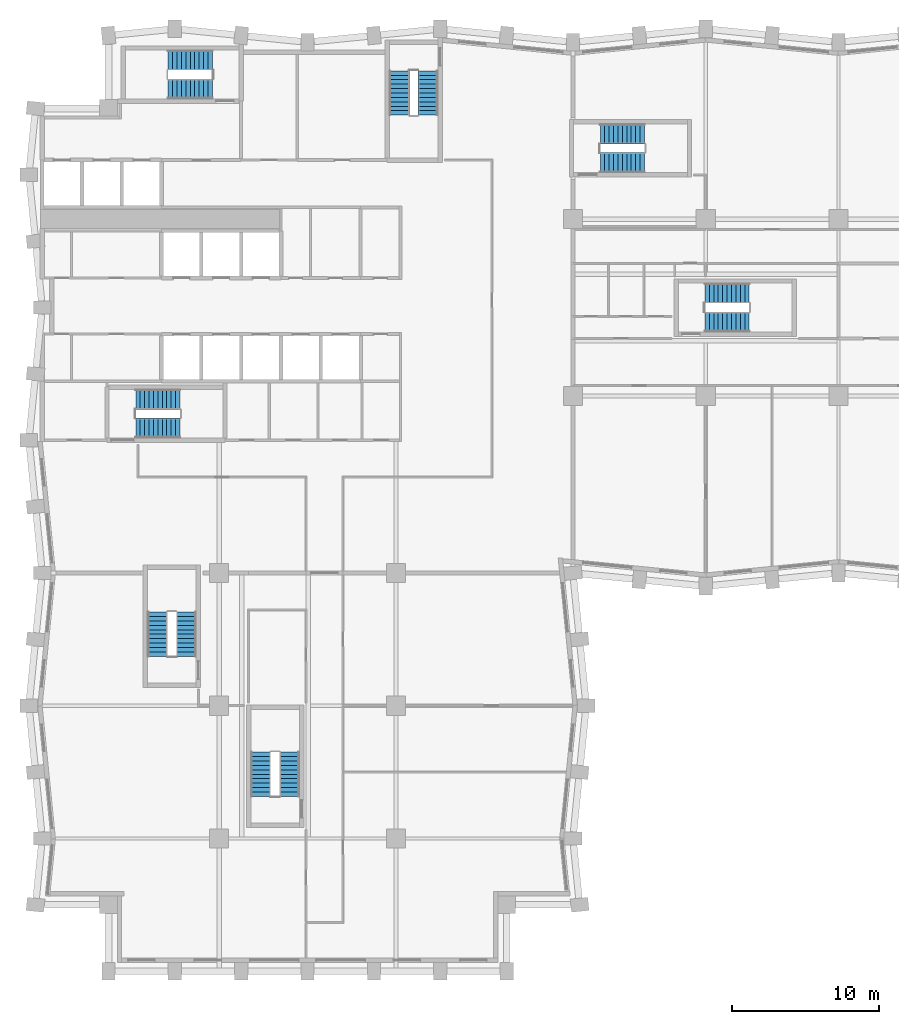
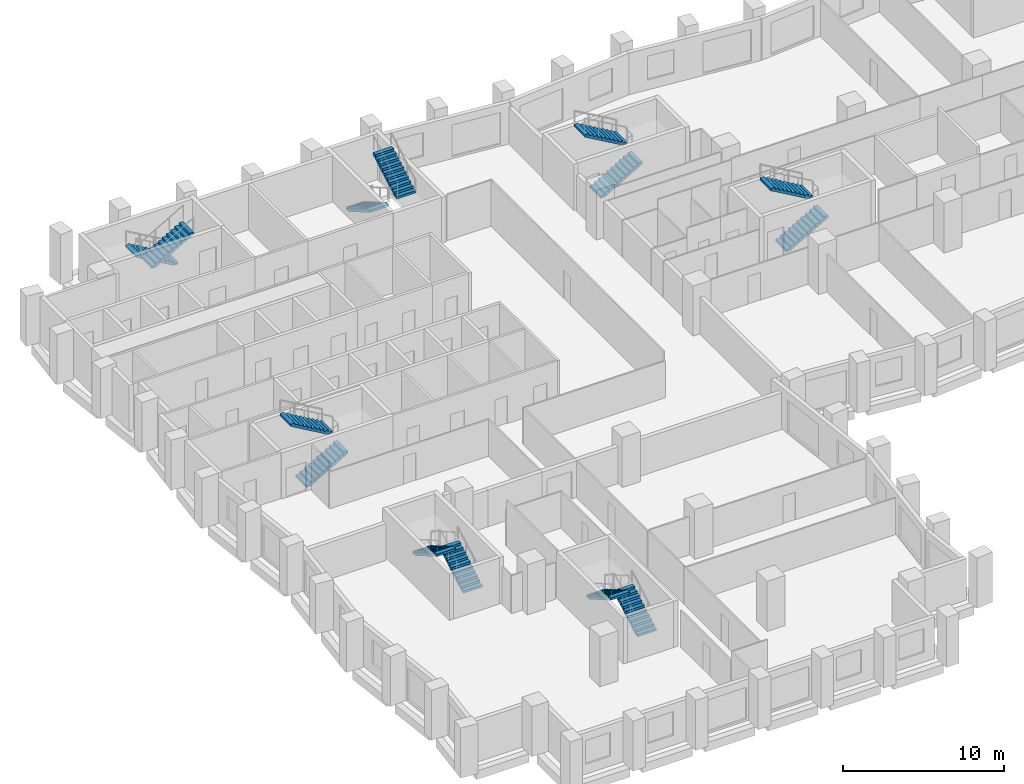
# One storey, part 9 of 11: 14 stair flights, 7 elements without a shape of their own.
"""IFC4 building model written with IfcOpenShell, lengths in metres."""

from ifc_helpers import new_model, si_unit, direction, frame, origin, place, context, subcontext, project, spatial, polyline, outline, extrude, material, type_object, element, aggregate, save


model = new_model("IFC4")

# Units and contexts
model_context = context("Model", 3, precision=1e-05, world=origin(), true_north=direction((0.0, 1.0)))
body_context = subcontext(model_context, "Body", "Model", "MODEL_VIEW")
ifc_project = project(units=[si_unit("LENGTHUNIT", "METRE"), si_unit("AREAUNIT", "SQUARE_METRE"), si_unit("VOLUMEUNIT", "CUBIC_METRE"), si_unit("PLANEANGLEUNIT", "RADIAN"), si_unit("MASSUNIT", "GRAM", prefix="KILO")], contexts=[model_context])

# Site, building, storey
site_placement = place(None, origin())
site = spatial("IfcSite", under=ifc_project, at=site_placement, CompositionType="ELEMENT")
building_placement = place(site_placement, origin())
building = spatial("IfcBuilding", under=site, at=building_placement, Name="Brondeck Convention Tower", CompositionType="ELEMENT")
storey_placement = place(building_placement, frame((0.0, 0.0, 92.300048828125)))
storey = spatial("IfcBuildingStorey", under=building, at=storey_placement, Name="L21", CompositionType="ELEMENT", Elevation=92.300048828125)

# Stair, stair flights
ifc_material = material(Name="Precast concrete C50/60", Category="concrete")
stair_type = type_object("IfcStairType", Name="Core stair 22 risers 172.73 mm riser 300 mm going 1350 wide", PredefinedType="HALF_TURN_STAIR", material=ifc_material)
stair_1_placement = place(storey_placement, origin())
stair_1 = element("IfcStair", 1, at=stair_1_placement, inside=storey, type_object=stair_type, Name="ST-1 L21 stair", PredefinedType="HALF_TURN_STAIR")
stair_flight_type = type_object("IfcStairFlightType", Name="Core stair flight 22 risers 172.73 mm riser 300 mm going 1350 wide", PredefinedType="STRAIGHT", material=ifc_material)
stair_flight_1_placement = place(storey_placement, frame((6.35009765625, 36.824951171875, 0.0), z_axis=(0.0, 0.0, 1.0), x_axis=(1.0, 0.0, 0.0)))
stair_flight_1 = element("IfcStairFlight", 2, at=stair_flight_1_placement, type_object=stair_flight_type, Name="ST-1 flight 1", NumberOfRisers=11, NumberOfTreads=10, PredefinedType="STRAIGHT", RiserHeight=0.172727273, TreadLength=0.3, context=body_context, shape_type="SweptSolid", body=[
    extrude(outline(polyline([(0.0, 0.0), (0.0, 0.172607421875), (0.300048828125, 0.172607421875), (0.300048828125, 0.345458984375), (0.60009765625, 0.345458984375), (0.60009765625, 0.51806640625), (0.89990234375, 0.51806640625), (0.89990234375, 0.69091796875), (1.199951171875, 0.69091796875), (1.199951171875, 0.863525390625), (1.5, 0.863525390625), (1.5, 1.036376953125), (1.800048828125, 1.036376953125), (1.800048828125, 1.208984375), (2.10009765625, 1.208984375), (2.10009765625, 1.3818359375), (2.39990234375, 1.3818359375), (2.39990234375, 1.554443359375), (2.699951171875, 1.554443359375), (2.699951171875, 1.727294921875), (3.0, 1.727294921875), (3.0, 1.89990234375), (3.0, 1.55419921875), (0.300537109375, 0.0), (0.0, 0.0)])), frame((0.0, 0.675048828125, 0.0), z_axis=(0.0, -1.0, 0.0), x_axis=(1.0, 0.0, 0.0)), (0.0, 0.0, 1.0), 1.35009765625),
])
stair_flight_2_placement = place(storey_placement, frame((9.35009765625, 38.77490234375, 1.89990234375), z_axis=(0.0, 0.0, 1.0), x_axis=(-1.0, 0.0, 0.0)))
stair_flight_2 = element("IfcStairFlight", 3, at=stair_flight_2_placement, type_object=stair_flight_type, Name="ST-1 flight 2", NumberOfRisers=11, NumberOfTreads=10, PredefinedType="STRAIGHT", RiserHeight=0.172727273, TreadLength=0.3, context=body_context, shape_type="SweptSolid", body=[
    extrude(outline(polyline([(0.0, 0.0), (0.0, 0.172607421875), (0.300048828125, 0.172607421875), (0.300048828125, 0.345458984375), (0.60009765625, 0.345458984375), (0.60009765625, 0.51806640625), (0.89990234375, 0.51806640625), (0.89990234375, 0.69091796875), (1.199951171875, 0.69091796875), (1.199951171875, 0.863525390625), (1.5, 0.863525390625), (1.5, 1.036376953125), (1.800048828125, 1.036376953125), (1.800048828125, 1.208984375), (2.10009765625, 1.208984375), (2.10009765625, 1.3818359375), (2.39990234375, 1.3818359375), (2.39990234375, 1.554443359375), (2.699951171875, 1.554443359375), (2.699951171875, 1.727294921875), (3.0, 1.727294921875), (3.0, 1.89990234375), (3.0, 1.55419921875), (0.300537109375, 0.0), (0.0, 0.0)])), frame((0.0, 0.675048828125, 0.0), z_axis=(0.0, -1.0, 0.0), x_axis=(1.0, 0.0, 0.0)), (0.0, 0.0, 1.0), 1.35009765625),
])
aggregate(stair_1, [stair_flight_1, stair_flight_2])

stair_2_placement = place(storey_placement, origin())
stair_2 = element("IfcStair", 4, at=stair_2_placement, inside=storey, type_object=stair_type, Name="ST-2 L21 stair", PredefinedType="HALF_TURN_STAIR")
stair_flight_3_placement = place(storey_placement, frame((24.22509765625, 61.050048828125, 0.0), z_axis=(0.0, 0.0, 1.0), x_axis=(0.0, -1.0, 0.0)))
stair_flight_3 = element("IfcStairFlight", 5, at=stair_flight_3_placement, type_object=stair_flight_type, Name="ST-2 flight 1", NumberOfRisers=11, NumberOfTreads=10, PredefinedType="STRAIGHT", RiserHeight=0.172727273, TreadLength=0.3, context=body_context, shape_type="SweptSolid", body=[
    extrude(outline(polyline([(0.0, 0.0), (0.0, 0.172607421875), (0.300048828125, 0.172607421875), (0.300048828125, 0.345458984375), (0.60009765625, 0.345458984375), (0.60009765625, 0.51806640625), (0.89990234375, 0.51806640625), (0.89990234375, 0.69091796875), (1.199951171875, 0.69091796875), (1.199951171875, 0.863525390625), (1.5, 0.863525390625), (1.5, 1.036376953125), (1.800048828125, 1.036376953125), (1.800048828125, 1.208984375), (2.10009765625, 1.208984375), (2.10009765625, 1.3818359375), (2.39990234375, 1.3818359375), (2.39990234375, 1.554443359375), (2.699951171875, 1.554443359375), (2.699951171875, 1.727294921875), (3.0, 1.727294921875), (3.0, 1.89990234375), (3.0, 1.55419921875), (0.300537109375, 0.0), (0.0, 0.0)])), frame((0.0, 0.675048828125, 0.0), z_axis=(0.0, -1.0, 0.0), x_axis=(1.0, 0.0, 0.0)), (0.0, 0.0, 1.0), 1.35009765625),
])
stair_flight_4_placement = place(storey_placement, frame((26.175048828125, 58.050048828125, 1.89990234375), z_axis=(0.0, 0.0, 1.0), x_axis=(0.0, 1.0, 0.0)))
stair_flight_4 = element("IfcStairFlight", 6, at=stair_flight_4_placement, type_object=stair_flight_type, Name="ST-2 flight 2", NumberOfRisers=11, NumberOfTreads=10, PredefinedType="STRAIGHT", RiserHeight=0.172727273, TreadLength=0.3, context=body_context, shape_type="SweptSolid", body=[
    extrude(outline(polyline([(0.0, 0.0), (0.0, 0.172607421875), (0.300048828125, 0.172607421875), (0.300048828125, 0.345458984375), (0.60009765625, 0.345458984375), (0.60009765625, 0.51806640625), (0.89990234375, 0.51806640625), (0.89990234375, 0.69091796875), (1.199951171875, 0.69091796875), (1.199951171875, 0.863525390625), (1.5, 0.863525390625), (1.5, 1.036376953125), (1.800048828125, 1.036376953125), (1.800048828125, 1.208984375), (2.10009765625, 1.208984375), (2.10009765625, 1.3818359375), (2.39990234375, 1.3818359375), (2.39990234375, 1.554443359375), (2.699951171875, 1.554443359375), (2.699951171875, 1.727294921875), (3.0, 1.727294921875), (3.0, 1.89990234375), (3.0, 1.55419921875), (0.300537109375, 0.0), (0.0, 0.0)])), frame((0.0, 0.675048828125, 0.0), z_axis=(0.0, -1.0, 0.0), x_axis=(1.0, 0.0, 0.0)), (0.0, 0.0, 1.0), 1.35009765625),
])
aggregate(stair_2, [stair_flight_3, stair_flight_4])

stair_3_placement = place(storey_placement, origin())
stair_3 = element("IfcStair", 7, at=stair_3_placement, inside=storey, type_object=stair_type, Name="ST-3 L21 stair", PredefinedType="HALF_TURN_STAIR")
stair_flight_5_placement = place(storey_placement, frame((11.550048828125, 61.77490234375, 0.0), z_axis=(0.0, 0.0, 1.0), x_axis=(-1.0, 0.0, 0.0)))
stair_flight_5 = element("IfcStairFlight", 8, at=stair_flight_5_placement, type_object=stair_flight_type, Name="ST-3 flight 1", NumberOfRisers=11, NumberOfTreads=10, PredefinedType="STRAIGHT", RiserHeight=0.172727273, TreadLength=0.3, context=body_context, shape_type="SweptSolid", body=[
    extrude(outline(polyline([(0.0, 0.0), (0.0, 0.172607421875), (0.300048828125, 0.172607421875), (0.300048828125, 0.345458984375), (0.60009765625, 0.345458984375), (0.60009765625, 0.51806640625), (0.89990234375, 0.51806640625), (0.89990234375, 0.69091796875), (1.199951171875, 0.69091796875), (1.199951171875, 0.863525390625), (1.5, 0.863525390625), (1.5, 1.036376953125), (1.800048828125, 1.036376953125), (1.800048828125, 1.208984375), (2.10009765625, 1.208984375), (2.10009765625, 1.3818359375), (2.39990234375, 1.3818359375), (2.39990234375, 1.554443359375), (2.699951171875, 1.554443359375), (2.699951171875, 1.727294921875), (3.0, 1.727294921875), (3.0, 1.89990234375), (3.0, 1.55419921875), (0.300537109375, 0.0), (0.0, 0.0)])), frame((0.0, 0.675048828125, 0.0), z_axis=(0.0, -1.0, 0.0), x_axis=(1.0, 0.0, 0.0)), (0.0, 0.0, 1.0), 1.35009765625),
])
stair_flight_6_placement = place(storey_placement, frame((8.550048828125, 59.824951171875, 1.89990234375), z_axis=(0.0, 0.0, 1.0), x_axis=(1.0, 0.0, 0.0)))
stair_flight_6 = element("IfcStairFlight", 9, at=stair_flight_6_placement, type_object=stair_flight_type, Name="ST-3 flight 2", NumberOfRisers=11, NumberOfTreads=10, PredefinedType="STRAIGHT", RiserHeight=0.172727273, TreadLength=0.3, context=body_context, shape_type="SweptSolid", body=[
    extrude(outline(polyline([(0.0, 0.0), (0.0, 0.172607421875), (0.300048828125, 0.172607421875), (0.300048828125, 0.345458984375), (0.60009765625, 0.345458984375), (0.60009765625, 0.51806640625), (0.89990234375, 0.51806640625), (0.89990234375, 0.69091796875), (1.199951171875, 0.69091796875), (1.199951171875, 0.863525390625), (1.5, 0.863525390625), (1.5, 1.036376953125), (1.800048828125, 1.036376953125), (1.800048828125, 1.208984375), (2.10009765625, 1.208984375), (2.10009765625, 1.3818359375), (2.39990234375, 1.3818359375), (2.39990234375, 1.554443359375), (2.699951171875, 1.554443359375), (2.699951171875, 1.727294921875), (3.0, 1.727294921875), (3.0, 1.89990234375), (3.0, 1.55419921875), (0.300537109375, 0.0), (0.0, 0.0)])), frame((0.0, 0.675048828125, 0.0), z_axis=(0.0, -1.0, 0.0), x_axis=(1.0, 0.0, 0.0)), (0.0, 0.0, 1.0), 1.35009765625),
])
aggregate(stair_3, [stair_flight_5, stair_flight_6])

stair_4_placement = place(storey_placement, origin())
stair_4 = element("IfcStair", 10, at=stair_4_placement, inside=storey, type_object=stair_type, Name="ST-AE L21 stair", PredefinedType="HALF_TURN_STAIR")
stair_flight_7_placement = place(storey_placement, frame((37.85009765625, 54.824951171875, 0.0), z_axis=(0.0, 0.0, 1.0), x_axis=(1.0, 0.0, 0.0)))
stair_flight_7 = element("IfcStairFlight", 11, at=stair_flight_7_placement, type_object=stair_flight_type, Name="ST-AE flight 1", NumberOfRisers=11, NumberOfTreads=10, PredefinedType="STRAIGHT", RiserHeight=0.172727273, TreadLength=0.3, context=body_context, shape_type="SweptSolid", body=[
    extrude(outline(polyline([(0.0, 0.0), (0.0, 0.172607421875), (0.300048828125, 0.172607421875), (0.300048828125, 0.345458984375), (0.60009765625, 0.345458984375), (0.60009765625, 0.51806640625), (0.89990234375, 0.51806640625), (0.89990234375, 0.69091796875), (1.199951171875, 0.69091796875), (1.199951171875, 0.863525390625), (1.5, 0.863525390625), (1.5, 1.036376953125), (1.800048828125, 1.036376953125), (1.800048828125, 1.208984375), (2.10009765625, 1.208984375), (2.10009765625, 1.3818359375), (2.39990234375, 1.3818359375), (2.39990234375, 1.554443359375), (2.699951171875, 1.554443359375), (2.699951171875, 1.727294921875), (3.0, 1.727294921875), (3.0, 1.89990234375), (3.0, 1.55419921875), (0.300537109375, 0.0), (0.0, 0.0)])), frame((0.0, 0.675048828125, 0.0), z_axis=(0.0, -1.0, 0.0), x_axis=(1.0, 0.0, 0.0)), (0.0, 0.0, 1.0), 1.35009765625),
])
stair_flight_8_placement = place(storey_placement, frame((40.85009765625, 56.77490234375, 1.89990234375), z_axis=(0.0, 0.0, 1.0), x_axis=(-1.0, 0.0, 0.0)))
stair_flight_8 = element("IfcStairFlight", 12, at=stair_flight_8_placement, type_object=stair_flight_type, Name="ST-AE flight 2", NumberOfRisers=11, NumberOfTreads=10, PredefinedType="STRAIGHT", RiserHeight=0.172727273, TreadLength=0.3, context=body_context, shape_type="SweptSolid", body=[
    extrude(outline(polyline([(0.0, 0.0), (0.0, 0.172607421875), (0.300048828125, 0.172607421875), (0.300048828125, 0.345458984375), (0.60009765625, 0.345458984375), (0.60009765625, 0.51806640625), (0.89990234375, 0.51806640625), (0.89990234375, 0.69091796875), (1.199951171875, 0.69091796875), (1.199951171875, 0.863525390625), (1.5, 0.863525390625), (1.5, 1.036376953125), (1.800048828125, 1.036376953125), (1.800048828125, 1.208984375), (2.10009765625, 1.208984375), (2.10009765625, 1.3818359375), (2.39990234375, 1.3818359375), (2.39990234375, 1.554443359375), (2.699951171875, 1.554443359375), (2.699951171875, 1.727294921875), (3.0, 1.727294921875), (3.0, 1.89990234375), (3.0, 1.55419921875), (0.300537109375, 0.0), (0.0, 0.0)])), frame((0.0, 0.675048828125, 0.0), z_axis=(0.0, -1.0, 0.0), x_axis=(1.0, 0.0, 0.0)), (0.0, 0.0, 1.0), 1.35009765625),
])
aggregate(stair_4, [stair_flight_7, stair_flight_8])

stair_5_placement = place(storey_placement, origin())
stair_5 = element("IfcStair", 13, at=stair_5_placement, inside=storey, type_object=stair_type, Name="ST-BE L21 stair", PredefinedType="HALF_TURN_STAIR")
stair_flight_9_placement = place(storey_placement, frame((9.77490234375, 21.35009765625, 0.0), z_axis=(0.0, 0.0, 1.0), x_axis=(0.0, 1.0, 0.0)))
stair_flight_9 = element("IfcStairFlight", 14, at=stair_flight_9_placement, type_object=stair_flight_type, Name="ST-BE flight 1", NumberOfRisers=11, NumberOfTreads=10, PredefinedType="STRAIGHT", RiserHeight=0.172727273, TreadLength=0.3, context=body_context, shape_type="SweptSolid", body=[
    extrude(outline(polyline([(0.0, 0.0), (0.0, 0.172607421875), (0.300048828125, 0.172607421875), (0.300048828125, 0.345458984375), (0.60009765625, 0.345458984375), (0.60009765625, 0.51806640625), (0.89990234375, 0.51806640625), (0.89990234375, 0.69091796875), (1.199951171875, 0.69091796875), (1.199951171875, 0.863525390625), (1.5, 0.863525390625), (1.5, 1.036376953125), (1.800048828125, 1.036376953125), (1.800048828125, 1.208984375), (2.10009765625, 1.208984375), (2.10009765625, 1.3818359375), (2.39990234375, 1.3818359375), (2.39990234375, 1.554443359375), (2.699951171875, 1.554443359375), (2.699951171875, 1.727294921875), (3.0, 1.727294921875), (3.0, 1.89990234375), (3.0, 1.55419921875), (0.300537109375, 0.0), (0.0, 0.0)])), frame((0.0, 0.675048828125, 0.0), z_axis=(0.0, -1.0, 0.0), x_axis=(1.0, 0.0, 0.0)), (0.0, 0.0, 1.0), 1.35009765625),
])
stair_flight_10_placement = place(storey_placement, frame((7.824951171875, 24.35009765625, 1.89990234375), z_axis=(0.0, 0.0, 1.0), x_axis=(0.0, -1.0, 0.0)))
stair_flight_10 = element("IfcStairFlight", 15, at=stair_flight_10_placement, type_object=stair_flight_type, Name="ST-BE flight 2", NumberOfRisers=11, NumberOfTreads=10, PredefinedType="STRAIGHT", RiserHeight=0.172727273, TreadLength=0.3, context=body_context, shape_type="SweptSolid", body=[
    extrude(outline(polyline([(0.0, 0.0), (0.0, 0.172607421875), (0.300048828125, 0.172607421875), (0.300048828125, 0.345458984375), (0.60009765625, 0.345458984375), (0.60009765625, 0.51806640625), (0.89990234375, 0.51806640625), (0.89990234375, 0.69091796875), (1.199951171875, 0.69091796875), (1.199951171875, 0.863525390625), (1.5, 0.863525390625), (1.5, 1.036376953125), (1.800048828125, 1.036376953125), (1.800048828125, 1.208984375), (2.10009765625, 1.208984375), (2.10009765625, 1.3818359375), (2.39990234375, 1.3818359375), (2.39990234375, 1.554443359375), (2.699951171875, 1.554443359375), (2.699951171875, 1.727294921875), (3.0, 1.727294921875), (3.0, 1.89990234375), (3.0, 1.55419921875), (0.300537109375, 0.0), (0.0, 0.0)])), frame((0.0, 0.675048828125, 0.0), z_axis=(0.0, -1.0, 0.0), x_axis=(1.0, 0.0, 0.0)), (0.0, 0.0, 1.0), 1.35009765625),
])
aggregate(stair_5, [stair_flight_9, stair_flight_10])

stair_6_placement = place(storey_placement, origin())
stair_6 = element("IfcStair", 16, at=stair_6_placement, inside=storey, type_object=stair_type, Name="ST-AF L21 stair", PredefinedType="HALF_TURN_STAIR")
stair_flight_11_placement = place(storey_placement, frame((44.949951171875, 44.02490234375, 0.0), z_axis=(0.0, 0.0, 1.0), x_axis=(1.0, 0.0, 0.0)))
stair_flight_11 = element("IfcStairFlight", 17, at=stair_flight_11_placement, type_object=stair_flight_type, Name="ST-AF flight 1", NumberOfRisers=11, NumberOfTreads=10, PredefinedType="STRAIGHT", RiserHeight=0.172727273, TreadLength=0.3, context=body_context, shape_type="SweptSolid", body=[
    extrude(outline(polyline([(0.0, 0.0), (0.0, 0.172607421875), (0.300048828125, 0.172607421875), (0.300048828125, 0.345458984375), (0.60009765625, 0.345458984375), (0.60009765625, 0.51806640625), (0.89990234375, 0.51806640625), (0.89990234375, 0.69091796875), (1.199951171875, 0.69091796875), (1.199951171875, 0.863525390625), (1.5, 0.863525390625), (1.5, 1.036376953125), (1.800048828125, 1.036376953125), (1.800048828125, 1.208984375), (2.10009765625, 1.208984375), (2.10009765625, 1.3818359375), (2.39990234375, 1.3818359375), (2.39990234375, 1.554443359375), (2.699951171875, 1.554443359375), (2.699951171875, 1.727294921875), (3.0, 1.727294921875), (3.0, 1.89990234375), (3.0, 1.55419921875), (0.300537109375, 0.0), (0.0, 0.0)])), frame((0.0, 0.675048828125, 0.0), z_axis=(0.0, -1.0, 0.0), x_axis=(1.0, 0.0, 0.0)), (0.0, 0.0, 1.0), 1.35009765625),
])
stair_flight_12_placement = place(storey_placement, frame((47.949951171875, 45.97509765625, 1.89990234375), z_axis=(0.0, 0.0, 1.0), x_axis=(-1.0, 0.0, 0.0)))
stair_flight_12 = element("IfcStairFlight", 18, at=stair_flight_12_placement, type_object=stair_flight_type, Name="ST-AF flight 2", NumberOfRisers=11, NumberOfTreads=10, PredefinedType="STRAIGHT", RiserHeight=0.172727273, TreadLength=0.3, context=body_context, shape_type="SweptSolid", body=[
    extrude(outline(polyline([(0.0, 0.0), (0.0, 0.172607421875), (0.300048828125, 0.172607421875), (0.300048828125, 0.345458984375), (0.60009765625, 0.345458984375), (0.60009765625, 0.51806640625), (0.89990234375, 0.51806640625), (0.89990234375, 0.69091796875), (1.199951171875, 0.69091796875), (1.199951171875, 0.863525390625), (1.5, 0.863525390625), (1.5, 1.036376953125), (1.800048828125, 1.036376953125), (1.800048828125, 1.208984375), (2.10009765625, 1.208984375), (2.10009765625, 1.3818359375), (2.39990234375, 1.3818359375), (2.39990234375, 1.554443359375), (2.699951171875, 1.554443359375), (2.699951171875, 1.727294921875), (3.0, 1.727294921875), (3.0, 1.89990234375), (3.0, 1.55419921875), (0.300537109375, 0.0), (0.0, 0.0)])), frame((0.0, 0.675048828125, 0.0), z_axis=(0.0, -1.0, 0.0), x_axis=(1.0, 0.0, 0.0)), (0.0, 0.0, 1.0), 1.35009765625),
])
aggregate(stair_6, [stair_flight_11, stair_flight_12])

stair_7_placement = place(storey_placement, origin())
stair_7 = element("IfcStair", 19, at=stair_7_placement, inside=storey, type_object=stair_type, Name="ST-BF L21 stair", PredefinedType="HALF_TURN_STAIR")
stair_flight_13_placement = place(storey_placement, frame((16.77490234375, 11.85009765625, 0.0), z_axis=(0.0, 0.0, 1.0), x_axis=(0.0, 1.0, 0.0)))
stair_flight_13 = element("IfcStairFlight", 20, at=stair_flight_13_placement, type_object=stair_flight_type, Name="ST-BF flight 1", NumberOfRisers=11, NumberOfTreads=10, PredefinedType="STRAIGHT", RiserHeight=0.172727273, TreadLength=0.3, context=body_context, shape_type="SweptSolid", body=[
    extrude(outline(polyline([(0.0, 0.0), (0.0, 0.172607421875), (0.300048828125, 0.172607421875), (0.300048828125, 0.345458984375), (0.60009765625, 0.345458984375), (0.60009765625, 0.51806640625), (0.89990234375, 0.51806640625), (0.89990234375, 0.69091796875), (1.199951171875, 0.69091796875), (1.199951171875, 0.863525390625), (1.5, 0.863525390625), (1.5, 1.036376953125), (1.800048828125, 1.036376953125), (1.800048828125, 1.208984375), (2.10009765625, 1.208984375), (2.10009765625, 1.3818359375), (2.39990234375, 1.3818359375), (2.39990234375, 1.554443359375), (2.699951171875, 1.554443359375), (2.699951171875, 1.727294921875), (3.0, 1.727294921875), (3.0, 1.89990234375), (3.0, 1.55419921875), (0.300537109375, 0.0), (0.0, 0.0)])), frame((0.0, 0.675048828125, 0.0), z_axis=(0.0, -1.0, 0.0), x_axis=(1.0, 0.0, 0.0)), (0.0, 0.0, 1.0), 1.35009765625),
])
stair_flight_14_placement = place(storey_placement, frame((14.824951171875, 14.85009765625, 1.89990234375), z_axis=(0.0, 0.0, 1.0), x_axis=(0.0, -1.0, 0.0)))
stair_flight_14 = element("IfcStairFlight", 21, at=stair_flight_14_placement, type_object=stair_flight_type, Name="ST-BF flight 2", NumberOfRisers=11, NumberOfTreads=10, PredefinedType="STRAIGHT", RiserHeight=0.172727273, TreadLength=0.3, context=body_context, shape_type="SweptSolid", body=[
    extrude(outline(polyline([(0.0, 0.0), (0.0, 0.172607421875), (0.300048828125, 0.172607421875), (0.300048828125, 0.345458984375), (0.60009765625, 0.345458984375), (0.60009765625, 0.51806640625), (0.89990234375, 0.51806640625), (0.89990234375, 0.69091796875), (1.199951171875, 0.69091796875), (1.199951171875, 0.863525390625), (1.5, 0.863525390625), (1.5, 1.036376953125), (1.800048828125, 1.036376953125), (1.800048828125, 1.208984375), (2.10009765625, 1.208984375), (2.10009765625, 1.3818359375), (2.39990234375, 1.3818359375), (2.39990234375, 1.554443359375), (2.699951171875, 1.554443359375), (2.699951171875, 1.727294921875), (3.0, 1.727294921875), (3.0, 1.89990234375), (3.0, 1.55419921875), (0.300537109375, 0.0), (0.0, 0.0)])), frame((0.0, 0.675048828125, 0.0), z_axis=(0.0, -1.0, 0.0), x_axis=(1.0, 0.0, 0.0)), (0.0, 0.0, 1.0), 1.35009765625),
])
aggregate(stair_7, [stair_flight_13, stair_flight_14])

save(model, "model.ifc")
